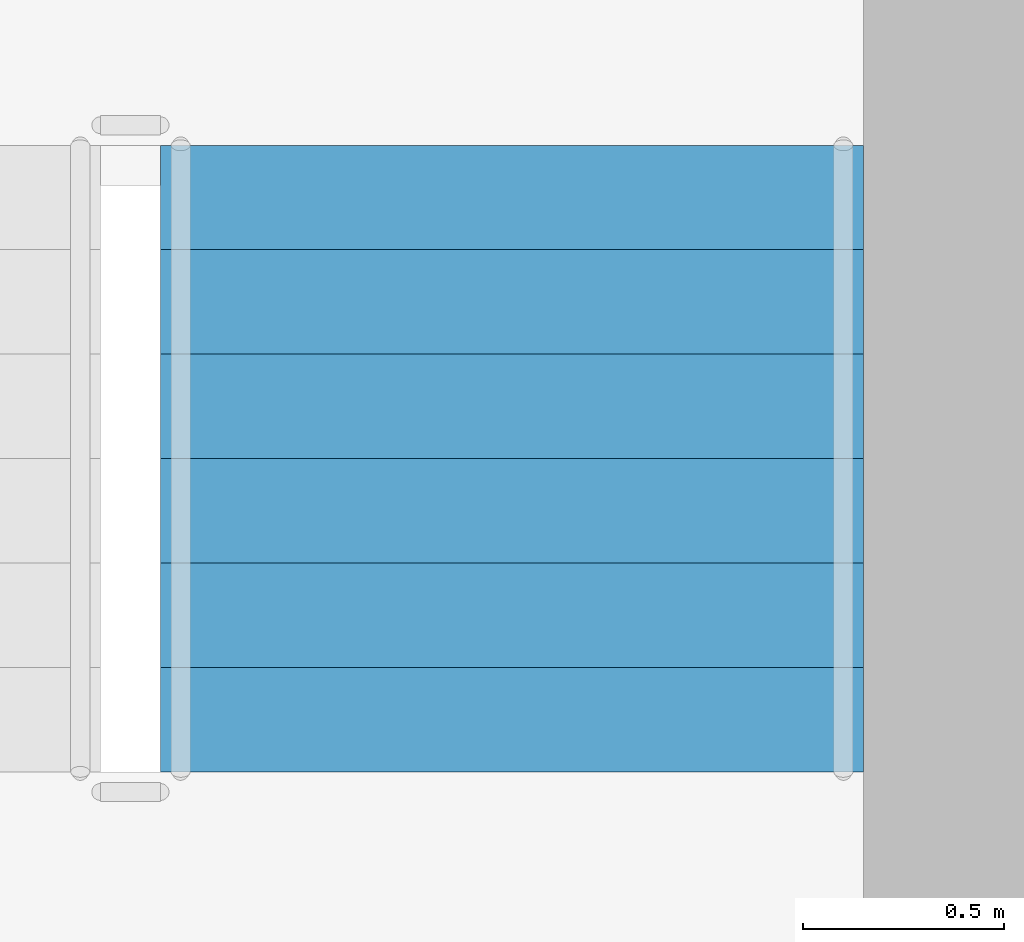
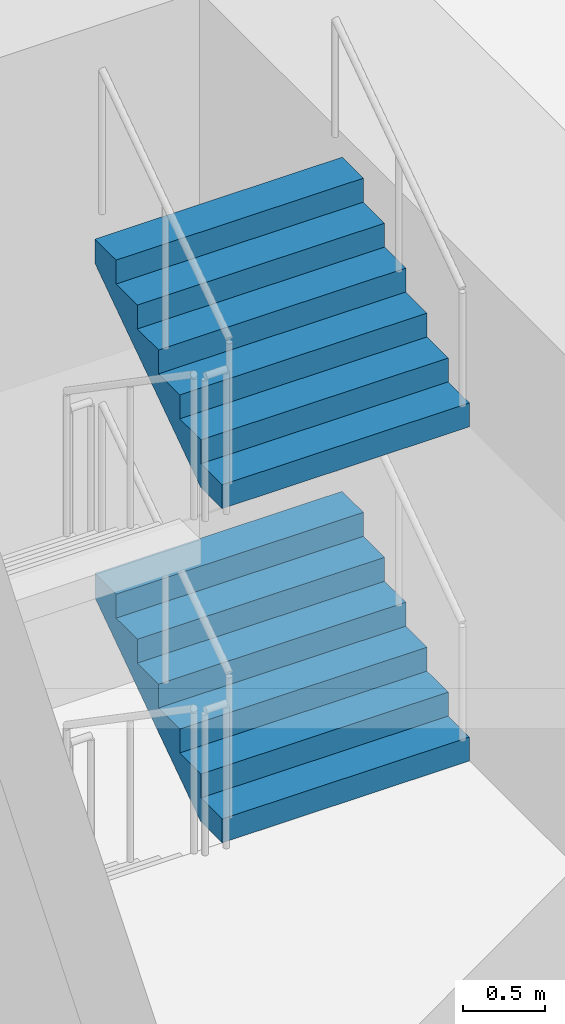
# One storey, part 37 of 59: 2 stair flights, 1 element without a shape of its own.
"""IFC4 building model written with IfcOpenShell, lengths in metres."""

from ifc_helpers import new_model, si_unit, direction, frame, origin, place, context, subcontext, project, spatial, faceted_brep, material, type_object, element, aggregate, save


model = new_model("IFC4")

# Units and contexts
model_context = context("Model", 3, precision=1e-05, world=origin(), true_north=direction((0.0, 1.0)))
body_context = subcontext(model_context, "Body", "Model", "MODEL_VIEW")
ifc_project = project(units=[si_unit("LENGTHUNIT", "METRE"), si_unit("AREAUNIT", "SQUARE_METRE"), si_unit("VOLUMEUNIT", "CUBIC_METRE"), si_unit("PLANEANGLEUNIT", "RADIAN"), si_unit("MASSUNIT", "GRAM", prefix="KILO")], contexts=[model_context])

# Site, building, storey
site_placement = place(None, origin())
site = spatial("IfcSite", under=ifc_project, at=site_placement, CompositionType="ELEMENT")
building_placement = place(site_placement, origin())
building = spatial("IfcBuilding", under=site, at=building_placement, Name="Ipe Terrace Towers", CompositionType="ELEMENT")
storey_placement = place(building_placement, frame((0.0, 0.0, 6.0)))
storey = spatial("IfcBuildingStorey", under=building, at=storey_placement, Name="L01", CompositionType="ELEMENT", Elevation=6.0)

# Stair, stair flights
ifc_material_1 = material(Name="Concrete C30/37", Category="concrete")
stair_type = type_object("IfcStairType", Name="Protected exit stair", PredefinedType="HALF_TURN_STAIR", material=ifc_material_1)
stair_placement = place(storey_placement, origin())
stair = element("IfcStair", 1, at=stair_placement, inside=storey, type_object=stair_type, Name="L01 Exit stair T2-C2", PredefinedType="HALF_TURN_STAIR")
ifc_material_2 = material(Name="Concrete C30/37", Category="concrete")
stair_flight_type = type_object("IfcStairFlightType", Name="Exit stair flight 1750", PredefinedType="STRAIGHT", material=ifc_material_2)
stair_flight_1_placement = place(storey_placement, frame((40.675048828125, -11.260009765625, 1.25), z_axis=(0.0, 0.0, 1.0), x_axis=(0.0, 1.0, 0.0)))
stair_flight_1 = element("IfcStairFlight", 2, at=stair_flight_1_placement, type_object=stair_flight_type, Name="T2-ST2 flight 2", NumberOfRisers=7, NumberOfTreads=6, PredefinedType="STRAIGHT", RiserHeight=0.178571429, TreadLength=0.26, context=body_context, shape_type="Brep", body=[
    faceted_brep([(0.264892578125, -0.875, 0.0), (1.56005859375, -0.875, 0.8896484375), (1.56005859375, -0.875, 1.071533203125), (1.300048828125, -0.875, 1.071533203125), (1.300048828125, -0.875, 0.892822265625), (1.0400390625, -0.875, 0.892822265625), (1.0400390625, -0.875, 0.71435546875), (0.780029296875, -0.875, 0.71435546875), (0.780029296875, -0.875, 0.53564453125), (0.52001953125, -0.875, 0.53564453125), (0.52001953125, -0.875, 0.357177734375), (0.260009765625, -0.875, 0.357177734375), (0.260009765625, -0.875, 0.178466796875), (0.0, -0.875, 0.178466796875), (0.0, -0.875, 0.0), (0.0, 0.875, 0.0), (0.0, 0.875, 0.178466796875), (0.260009765625, 0.875, 0.178466796875), (0.260009765625, 0.875, 0.357177734375), (0.52001953125, 0.875, 0.357177734375), (0.52001953125, 0.875, 0.53564453125), (0.780029296875, 0.875, 0.53564453125), (0.780029296875, 0.875, 0.71435546875), (1.0400390625, 0.875, 0.71435546875), (1.0400390625, 0.875, 0.892822265625), (1.300048828125, 0.875, 0.892822265625), (1.300048828125, 0.875, 1.071533203125), (1.56005859375, 0.875, 1.071533203125), (1.56005859375, 0.875, 0.8896484375), (0.264892578125, 0.875, 0.0), (0.0, -0.300048828125, 0.178466796875), (0.0, -0.1201171875, 0.178466796875), (0.0, -0.06005859375, 0.178466796875), (0.0, -0.030029296875, 0.178466796875), (0.0, -0.010009765625, 0.178466796875), (0.0, 0.0, 0.178466796875), (0.0, 0.010009765625, 0.178466796875), (0.0, 0.030029296875, 0.178466796875), (0.0, 0.06005859375, 0.178466796875), (0.0, 0.1201171875, 0.178466796875), (0.0, 0.300048828125, 0.178466796875), (0.0, 0.300048828125, 0.0), (0.0, 0.1201171875, 0.0), (0.0, 0.06005859375, 0.0), (0.0, 0.030029296875, 0.0), (0.0, 0.010009765625, 0.0), (0.0, 0.0, 0.0), (0.0, -0.010009765625, 0.0), (0.0, -0.030029296875, 0.0), (0.0, -0.06005859375, 0.0), (0.0, -0.1201171875, 0.0), (0.0, -0.300048828125, 0.0), (0.260009765625, -0.300048828125, 0.178466796875), (0.260009765625, -0.1201171875, 0.178466796875), (0.260009765625, -0.06005859375, 0.178466796875), (0.260009765625, -0.030029296875, 0.178466796875), (0.260009765625, -0.010009765625, 0.178466796875), (0.260009765625, 0.0, 0.178466796875), (0.260009765625, 0.010009765625, 0.178466796875), (0.260009765625, 0.030029296875, 0.178466796875), (0.260009765625, 0.06005859375, 0.178466796875), (0.260009765625, 0.1201171875, 0.178466796875), (0.260009765625, 0.300048828125, 0.178466796875), (0.260009765625, -0.300048828125, 0.357177734375), (0.260009765625, -0.1201171875, 0.357177734375), (0.260009765625, -0.06005859375, 0.357177734375), (0.260009765625, -0.030029296875, 0.357177734375), (0.260009765625, -0.010009765625, 0.357177734375), (0.260009765625, 0.0, 0.357177734375), (0.260009765625, 0.010009765625, 0.357177734375), (0.260009765625, 0.030029296875, 0.357177734375), (0.260009765625, 0.06005859375, 0.357177734375), (0.260009765625, 0.1201171875, 0.357177734375), (0.260009765625, 0.300048828125, 0.357177734375), (0.52001953125, -0.300048828125, 0.357177734375), (0.52001953125, -0.1201171875, 0.357177734375), (0.52001953125, -0.06005859375, 0.357177734375), (0.52001953125, -0.030029296875, 0.357177734375), (0.52001953125, -0.010009765625, 0.357177734375), (0.52001953125, 0.0, 0.357177734375), (0.52001953125, 0.010009765625, 0.357177734375), (0.52001953125, 0.030029296875, 0.357177734375), (0.52001953125, 0.06005859375, 0.357177734375), (0.52001953125, 0.1201171875, 0.357177734375), (0.52001953125, 0.300048828125, 0.357177734375), (0.52001953125, -0.300048828125, 0.53564453125), (0.52001953125, -0.1201171875, 0.53564453125), (0.52001953125, -0.06005859375, 0.53564453125), (0.52001953125, -0.030029296875, 0.53564453125), (0.52001953125, -0.010009765625, 0.53564453125), (0.52001953125, 0.0, 0.53564453125), (0.52001953125, 0.010009765625, 0.53564453125), (0.52001953125, 0.030029296875, 0.53564453125), (0.52001953125, 0.06005859375, 0.53564453125), (0.52001953125, 0.1201171875, 0.53564453125), (0.52001953125, 0.300048828125, 0.53564453125), (0.780029296875, -0.300048828125, 0.53564453125), (0.780029296875, -0.1201171875, 0.53564453125), (0.780029296875, -0.06005859375, 0.53564453125), (0.780029296875, -0.030029296875, 0.53564453125), (0.780029296875, -0.010009765625, 0.53564453125), (0.780029296875, 0.0, 0.53564453125), (0.780029296875, 0.010009765625, 0.53564453125), (0.780029296875, 0.030029296875, 0.53564453125), (0.780029296875, 0.06005859375, 0.53564453125), (0.780029296875, 0.1201171875, 0.53564453125), (0.780029296875, 0.300048828125, 0.53564453125), (0.780029296875, -0.300048828125, 0.71435546875), (0.780029296875, -0.1201171875, 0.71435546875), (0.780029296875, -0.06005859375, 0.71435546875), (0.780029296875, -0.030029296875, 0.71435546875), (0.780029296875, -0.010009765625, 0.71435546875), (0.780029296875, 0.0, 0.71435546875), (0.780029296875, 0.010009765625, 0.71435546875), (0.780029296875, 0.030029296875, 0.71435546875), (0.780029296875, 0.06005859375, 0.71435546875), (0.780029296875, 0.1201171875, 0.71435546875), (0.780029296875, 0.300048828125, 0.71435546875), (1.0400390625, -0.300048828125, 0.71435546875), (1.0400390625, -0.1201171875, 0.71435546875), (1.0400390625, -0.06005859375, 0.71435546875), (1.0400390625, -0.030029296875, 0.71435546875), (1.0400390625, -0.010009765625, 0.71435546875), (1.0400390625, 0.0, 0.71435546875), (1.0400390625, 0.010009765625, 0.71435546875), (1.0400390625, 0.030029296875, 0.71435546875), (1.0400390625, 0.06005859375, 0.71435546875), (1.0400390625, 0.1201171875, 0.71435546875), (1.0400390625, 0.300048828125, 0.71435546875), (1.0400390625, -0.300048828125, 0.892822265625), (1.0400390625, -0.1201171875, 0.892822265625), (1.0400390625, -0.06005859375, 0.892822265625), (1.0400390625, -0.030029296875, 0.892822265625), (1.0400390625, -0.010009765625, 0.892822265625), (1.0400390625, 0.0, 0.892822265625), (1.0400390625, 0.010009765625, 0.892822265625), (1.0400390625, 0.030029296875, 0.892822265625), (1.0400390625, 0.06005859375, 0.892822265625), (1.0400390625, 0.1201171875, 0.892822265625), (1.0400390625, 0.300048828125, 0.892822265625), (1.300048828125, -0.300048828125, 0.892822265625), (1.300048828125, -0.1201171875, 0.892822265625), (1.300048828125, -0.06005859375, 0.892822265625), (1.300048828125, -0.030029296875, 0.892822265625), (1.300048828125, -0.010009765625, 0.892822265625), (1.300048828125, 0.0, 0.892822265625), (1.300048828125, 0.010009765625, 0.892822265625), (1.300048828125, 0.030029296875, 0.892822265625), (1.300048828125, 0.06005859375, 0.892822265625), (1.300048828125, 0.1201171875, 0.892822265625), (1.300048828125, 0.300048828125, 0.892822265625), (1.300048828125, -0.300048828125, 1.071533203125), (1.300048828125, -0.1201171875, 1.071533203125), (1.300048828125, -0.06005859375, 1.071533203125), (1.300048828125, -0.030029296875, 1.071533203125), (1.300048828125, -0.010009765625, 1.071533203125), (1.300048828125, 0.0, 1.071533203125), (1.300048828125, 0.010009765625, 1.071533203125), (1.300048828125, 0.030029296875, 1.071533203125), (1.300048828125, 0.06005859375, 1.071533203125), (1.300048828125, 0.1201171875, 1.071533203125), (1.300048828125, 0.300048828125, 1.071533203125), (1.56005859375, -0.300048828125, 1.071533203125), (1.56005859375, -0.1201171875, 1.071533203125), (1.56005859375, -0.06005859375, 1.071533203125), (1.56005859375, -0.030029296875, 1.071533203125), (1.56005859375, -0.010009765625, 1.071533203125), (1.56005859375, 0.0, 1.071533203125), (1.56005859375, 0.010009765625, 1.071533203125), (1.56005859375, 0.030029296875, 1.071533203125), (1.56005859375, 0.06005859375, 1.071533203125), (1.56005859375, 0.1201171875, 1.071533203125), (1.56005859375, 0.300048828125, 1.071533203125), (1.56005859375, -0.300048828125, 0.8896484375), (1.56005859375, -0.1201171875, 0.8896484375), (1.56005859375, -0.06005859375, 0.8896484375), (1.56005859375, -0.030029296875, 0.8896484375), (1.56005859375, -0.010009765625, 0.8896484375), (1.56005859375, 0.0, 0.8896484375), (1.56005859375, 0.010009765625, 0.8896484375), (1.56005859375, 0.030029296875, 0.8896484375), (1.56005859375, 0.06005859375, 0.8896484375), (1.56005859375, 0.1201171875, 0.8896484375), (1.56005859375, 0.300048828125, 0.8896484375), (0.264892578125, -0.300048828125, 0.0), (0.264892578125, -0.1201171875, 0.0), (0.264892578125, -0.06005859375, 0.0), (0.264892578125, -0.030029296875, 0.0), (0.264892578125, -0.010009765625, 0.0), (0.264892578125, 0.0, 0.0), (0.264892578125, 0.010009765625, 0.0), (0.264892578125, 0.030029296875, 0.0), (0.264892578125, 0.06005859375, 0.0), (0.264892578125, 0.1201171875, 0.0), (0.264892578125, 0.300048828125, 0.0)], [[[0, 1, 2, 3, 4, 5, 6, 7, 8, 9, 10, 11, 12, 13, 14]], [[15, 16, 17, 18, 19, 20, 21, 22, 23, 24, 25, 26, 27, 28, 29]], [[13, 30, 31, 32, 33, 34, 35, 36, 37, 38, 39, 40, 16, 15, 41, 42, 43, 44, 45, 46, 47, 48, 49, 50, 51, 14]], [[12, 52, 53, 54, 55, 56, 57, 58, 59, 60, 61, 62, 17, 16, 40, 39, 38, 37, 36, 35, 34, 33, 32, 31, 30, 13]], [[11, 63, 64, 65, 66, 67, 68, 69, 70, 71, 72, 73, 18, 17, 62, 61, 60, 59, 58, 57, 56, 55, 54, 53, 52, 12]], [[10, 74, 75, 76, 77, 78, 79, 80, 81, 82, 83, 84, 19, 18, 73, 72, 71, 70, 69, 68, 67, 66, 65, 64, 63, 11]], [[9, 85, 86, 87, 88, 89, 90, 91, 92, 93, 94, 95, 20, 19, 84, 83, 82, 81, 80, 79, 78, 77, 76, 75, 74, 10]], [[8, 96, 97, 98, 99, 100, 101, 102, 103, 104, 105, 106, 21, 20, 95, 94, 93, 92, 91, 90, 89, 88, 87, 86, 85, 9]], [[7, 107, 108, 109, 110, 111, 112, 113, 114, 115, 116, 117, 22, 21, 106, 105, 104, 103, 102, 101, 100, 99, 98, 97, 96, 8]], [[6, 118, 119, 120, 121, 122, 123, 124, 125, 126, 127, 128, 23, 22, 117, 116, 115, 114, 113, 112, 111, 110, 109, 108, 107, 7]], [[5, 129, 130, 131, 132, 133, 134, 135, 136, 137, 138, 139, 24, 23, 128, 127, 126, 125, 124, 123, 122, 121, 120, 119, 118, 6]], [[4, 140, 141, 142, 143, 144, 145, 146, 147, 148, 149, 150, 25, 24, 139, 138, 137, 136, 135, 134, 133, 132, 131, 130, 129, 5]], [[3, 151, 152, 153, 154, 155, 156, 157, 158, 159, 160, 161, 26, 25, 150, 149, 148, 147, 146, 145, 144, 143, 142, 141, 140, 4]], [[2, 162, 163, 164, 165, 166, 167, 168, 169, 170, 171, 172, 27, 26, 161, 160, 159, 158, 157, 156, 155, 154, 153, 152, 151, 3]], [[1, 173, 174, 175, 176, 177, 178, 179, 180, 181, 182, 183, 28, 27, 172, 171, 170, 169, 168, 167, 166, 165, 164, 163, 162, 2]], [[0, 184, 185, 186, 187, 188, 189, 190, 191, 192, 193, 194, 29, 28, 183, 182, 181, 180, 179, 178, 177, 176, 175, 174, 173, 1]], [[14, 51, 50, 49, 48, 47, 46, 45, 44, 43, 42, 41, 15, 29, 194, 193, 192, 191, 190, 189, 188, 187, 186, 185, 184, 0]]]),
])
stair_flight_2_placement = place(storey_placement, frame((40.675048828125, -11.260009765625, 3.75), z_axis=(0.0, 0.0, 1.0), x_axis=(0.0, 1.0, 0.0)))
stair_flight_2 = element("IfcStairFlight", 3, at=stair_flight_2_placement, type_object=stair_flight_type, Name="T2-ST2 flight 4", NumberOfRisers=7, NumberOfTreads=6, PredefinedType="STRAIGHT", RiserHeight=0.178571429, TreadLength=0.26, context=body_context, shape_type="Brep", body=[
    faceted_brep([(0.264892578125, -0.875, 0.0), (1.56005859375, -0.875, 0.8896484375), (1.56005859375, -0.875, 1.071533203125), (1.300048828125, -0.875, 1.071533203125), (1.300048828125, -0.875, 0.892822265625), (1.0400390625, -0.875, 0.892822265625), (1.0400390625, -0.875, 0.71435546875), (0.780029296875, -0.875, 0.71435546875), (0.780029296875, -0.875, 0.53564453125), (0.52001953125, -0.875, 0.53564453125), (0.52001953125, -0.875, 0.357177734375), (0.260009765625, -0.875, 0.357177734375), (0.260009765625, -0.875, 0.178466796875), (0.0, -0.875, 0.178466796875), (0.0, -0.875, 0.0), (0.0, 0.875, 0.0), (0.0, 0.875, 0.178466796875), (0.260009765625, 0.875, 0.178466796875), (0.260009765625, 0.875, 0.357177734375), (0.52001953125, 0.875, 0.357177734375), (0.52001953125, 0.875, 0.53564453125), (0.780029296875, 0.875, 0.53564453125), (0.780029296875, 0.875, 0.71435546875), (1.0400390625, 0.875, 0.71435546875), (1.0400390625, 0.875, 0.892822265625), (1.300048828125, 0.875, 0.892822265625), (1.300048828125, 0.875, 1.071533203125), (1.56005859375, 0.875, 1.071533203125), (1.56005859375, 0.875, 0.8896484375), (0.264892578125, 0.875, 0.0), (0.0, -0.300048828125, 0.178466796875), (0.0, -0.1201171875, 0.178466796875), (0.0, -0.06005859375, 0.178466796875), (0.0, -0.030029296875, 0.178466796875), (0.0, -0.010009765625, 0.178466796875), (0.0, 0.0, 0.178466796875), (0.0, 0.010009765625, 0.178466796875), (0.0, 0.030029296875, 0.178466796875), (0.0, 0.06005859375, 0.178466796875), (0.0, 0.1201171875, 0.178466796875), (0.0, 0.300048828125, 0.178466796875), (0.0, 0.300048828125, 0.0), (0.0, 0.1201171875, 0.0), (0.0, 0.06005859375, 0.0), (0.0, 0.030029296875, 0.0), (0.0, 0.010009765625, 0.0), (0.0, 0.0, 0.0), (0.0, -0.010009765625, 0.0), (0.0, -0.030029296875, 0.0), (0.0, -0.06005859375, 0.0), (0.0, -0.1201171875, 0.0), (0.0, -0.300048828125, 0.0), (0.260009765625, -0.300048828125, 0.178466796875), (0.260009765625, -0.1201171875, 0.178466796875), (0.260009765625, -0.06005859375, 0.178466796875), (0.260009765625, -0.030029296875, 0.178466796875), (0.260009765625, -0.010009765625, 0.178466796875), (0.260009765625, 0.0, 0.178466796875), (0.260009765625, 0.010009765625, 0.178466796875), (0.260009765625, 0.030029296875, 0.178466796875), (0.260009765625, 0.06005859375, 0.178466796875), (0.260009765625, 0.1201171875, 0.178466796875), (0.260009765625, 0.300048828125, 0.178466796875), (0.260009765625, -0.300048828125, 0.357177734375), (0.260009765625, -0.1201171875, 0.357177734375), (0.260009765625, -0.06005859375, 0.357177734375), (0.260009765625, -0.030029296875, 0.357177734375), (0.260009765625, -0.010009765625, 0.357177734375), (0.260009765625, 0.0, 0.357177734375), (0.260009765625, 0.010009765625, 0.357177734375), (0.260009765625, 0.030029296875, 0.357177734375), (0.260009765625, 0.06005859375, 0.357177734375), (0.260009765625, 0.1201171875, 0.357177734375), (0.260009765625, 0.300048828125, 0.357177734375), (0.52001953125, -0.300048828125, 0.357177734375), (0.52001953125, -0.1201171875, 0.357177734375), (0.52001953125, -0.06005859375, 0.357177734375), (0.52001953125, -0.030029296875, 0.357177734375), (0.52001953125, -0.010009765625, 0.357177734375), (0.52001953125, 0.0, 0.357177734375), (0.52001953125, 0.010009765625, 0.357177734375), (0.52001953125, 0.030029296875, 0.357177734375), (0.52001953125, 0.06005859375, 0.357177734375), (0.52001953125, 0.1201171875, 0.357177734375), (0.52001953125, 0.300048828125, 0.357177734375), (0.52001953125, -0.300048828125, 0.53564453125), (0.52001953125, -0.1201171875, 0.53564453125), (0.52001953125, -0.06005859375, 0.53564453125), (0.52001953125, -0.030029296875, 0.53564453125), (0.52001953125, -0.010009765625, 0.53564453125), (0.52001953125, 0.0, 0.53564453125), (0.52001953125, 0.010009765625, 0.53564453125), (0.52001953125, 0.030029296875, 0.53564453125), (0.52001953125, 0.06005859375, 0.53564453125), (0.52001953125, 0.1201171875, 0.53564453125), (0.52001953125, 0.300048828125, 0.53564453125), (0.780029296875, -0.300048828125, 0.53564453125), (0.780029296875, -0.1201171875, 0.53564453125), (0.780029296875, -0.06005859375, 0.53564453125), (0.780029296875, -0.030029296875, 0.53564453125), (0.780029296875, -0.010009765625, 0.53564453125), (0.780029296875, 0.0, 0.53564453125), (0.780029296875, 0.010009765625, 0.53564453125), (0.780029296875, 0.030029296875, 0.53564453125), (0.780029296875, 0.06005859375, 0.53564453125), (0.780029296875, 0.1201171875, 0.53564453125), (0.780029296875, 0.300048828125, 0.53564453125), (0.780029296875, -0.300048828125, 0.71435546875), (0.780029296875, -0.1201171875, 0.71435546875), (0.780029296875, -0.06005859375, 0.71435546875), (0.780029296875, -0.030029296875, 0.71435546875), (0.780029296875, -0.010009765625, 0.71435546875), (0.780029296875, 0.0, 0.71435546875), (0.780029296875, 0.010009765625, 0.71435546875), (0.780029296875, 0.030029296875, 0.71435546875), (0.780029296875, 0.06005859375, 0.71435546875), (0.780029296875, 0.1201171875, 0.71435546875), (0.780029296875, 0.300048828125, 0.71435546875), (1.0400390625, -0.300048828125, 0.71435546875), (1.0400390625, -0.1201171875, 0.71435546875), (1.0400390625, -0.06005859375, 0.71435546875), (1.0400390625, -0.030029296875, 0.71435546875), (1.0400390625, -0.010009765625, 0.71435546875), (1.0400390625, 0.0, 0.71435546875), (1.0400390625, 0.010009765625, 0.71435546875), (1.0400390625, 0.030029296875, 0.71435546875), (1.0400390625, 0.06005859375, 0.71435546875), (1.0400390625, 0.1201171875, 0.71435546875), (1.0400390625, 0.300048828125, 0.71435546875), (1.0400390625, -0.300048828125, 0.892822265625), (1.0400390625, -0.1201171875, 0.892822265625), (1.0400390625, -0.06005859375, 0.892822265625), (1.0400390625, -0.030029296875, 0.892822265625), (1.0400390625, -0.010009765625, 0.892822265625), (1.0400390625, 0.0, 0.892822265625), (1.0400390625, 0.010009765625, 0.892822265625), (1.0400390625, 0.030029296875, 0.892822265625), (1.0400390625, 0.06005859375, 0.892822265625), (1.0400390625, 0.1201171875, 0.892822265625), (1.0400390625, 0.300048828125, 0.892822265625), (1.300048828125, -0.300048828125, 0.892822265625), (1.300048828125, -0.1201171875, 0.892822265625), (1.300048828125, -0.06005859375, 0.892822265625), (1.300048828125, -0.030029296875, 0.892822265625), (1.300048828125, -0.010009765625, 0.892822265625), (1.300048828125, 0.0, 0.892822265625), (1.300048828125, 0.010009765625, 0.892822265625), (1.300048828125, 0.030029296875, 0.892822265625), (1.300048828125, 0.06005859375, 0.892822265625), (1.300048828125, 0.1201171875, 0.892822265625), (1.300048828125, 0.300048828125, 0.892822265625), (1.300048828125, -0.300048828125, 1.071533203125), (1.300048828125, -0.1201171875, 1.071533203125), (1.300048828125, -0.06005859375, 1.071533203125), (1.300048828125, -0.030029296875, 1.071533203125), (1.300048828125, -0.010009765625, 1.071533203125), (1.300048828125, 0.0, 1.071533203125), (1.300048828125, 0.010009765625, 1.071533203125), (1.300048828125, 0.030029296875, 1.071533203125), (1.300048828125, 0.06005859375, 1.071533203125), (1.300048828125, 0.1201171875, 1.071533203125), (1.300048828125, 0.300048828125, 1.071533203125), (1.56005859375, -0.300048828125, 1.071533203125), (1.56005859375, -0.1201171875, 1.071533203125), (1.56005859375, -0.06005859375, 1.071533203125), (1.56005859375, -0.030029296875, 1.071533203125), (1.56005859375, -0.010009765625, 1.071533203125), (1.56005859375, 0.0, 1.071533203125), (1.56005859375, 0.010009765625, 1.071533203125), (1.56005859375, 0.030029296875, 1.071533203125), (1.56005859375, 0.06005859375, 1.071533203125), (1.56005859375, 0.1201171875, 1.071533203125), (1.56005859375, 0.300048828125, 1.071533203125), (1.56005859375, -0.300048828125, 0.8896484375), (1.56005859375, -0.1201171875, 0.8896484375), (1.56005859375, -0.06005859375, 0.8896484375), (1.56005859375, -0.030029296875, 0.8896484375), (1.56005859375, -0.010009765625, 0.8896484375), (1.56005859375, 0.0, 0.8896484375), (1.56005859375, 0.010009765625, 0.8896484375), (1.56005859375, 0.030029296875, 0.8896484375), (1.56005859375, 0.06005859375, 0.8896484375), (1.56005859375, 0.1201171875, 0.8896484375), (1.56005859375, 0.300048828125, 0.8896484375), (0.264892578125, -0.300048828125, 0.0), (0.264892578125, -0.1201171875, 0.0), (0.264892578125, -0.06005859375, 0.0), (0.264892578125, -0.030029296875, 0.0), (0.264892578125, -0.010009765625, 0.0), (0.264892578125, 0.0, 0.0), (0.264892578125, 0.010009765625, 0.0), (0.264892578125, 0.030029296875, 0.0), (0.264892578125, 0.06005859375, 0.0), (0.264892578125, 0.1201171875, 0.0), (0.264892578125, 0.300048828125, 0.0)], [[[0, 1, 2, 3, 4, 5, 6, 7, 8, 9, 10, 11, 12, 13, 14]], [[15, 16, 17, 18, 19, 20, 21, 22, 23, 24, 25, 26, 27, 28, 29]], [[13, 30, 31, 32, 33, 34, 35, 36, 37, 38, 39, 40, 16, 15, 41, 42, 43, 44, 45, 46, 47, 48, 49, 50, 51, 14]], [[12, 52, 53, 54, 55, 56, 57, 58, 59, 60, 61, 62, 17, 16, 40, 39, 38, 37, 36, 35, 34, 33, 32, 31, 30, 13]], [[11, 63, 64, 65, 66, 67, 68, 69, 70, 71, 72, 73, 18, 17, 62, 61, 60, 59, 58, 57, 56, 55, 54, 53, 52, 12]], [[10, 74, 75, 76, 77, 78, 79, 80, 81, 82, 83, 84, 19, 18, 73, 72, 71, 70, 69, 68, 67, 66, 65, 64, 63, 11]], [[9, 85, 86, 87, 88, 89, 90, 91, 92, 93, 94, 95, 20, 19, 84, 83, 82, 81, 80, 79, 78, 77, 76, 75, 74, 10]], [[8, 96, 97, 98, 99, 100, 101, 102, 103, 104, 105, 106, 21, 20, 95, 94, 93, 92, 91, 90, 89, 88, 87, 86, 85, 9]], [[7, 107, 108, 109, 110, 111, 112, 113, 114, 115, 116, 117, 22, 21, 106, 105, 104, 103, 102, 101, 100, 99, 98, 97, 96, 8]], [[6, 118, 119, 120, 121, 122, 123, 124, 125, 126, 127, 128, 23, 22, 117, 116, 115, 114, 113, 112, 111, 110, 109, 108, 107, 7]], [[5, 129, 130, 131, 132, 133, 134, 135, 136, 137, 138, 139, 24, 23, 128, 127, 126, 125, 124, 123, 122, 121, 120, 119, 118, 6]], [[4, 140, 141, 142, 143, 144, 145, 146, 147, 148, 149, 150, 25, 24, 139, 138, 137, 136, 135, 134, 133, 132, 131, 130, 129, 5]], [[3, 151, 152, 153, 154, 155, 156, 157, 158, 159, 160, 161, 26, 25, 150, 149, 148, 147, 146, 145, 144, 143, 142, 141, 140, 4]], [[2, 162, 163, 164, 165, 166, 167, 168, 169, 170, 171, 172, 27, 26, 161, 160, 159, 158, 157, 156, 155, 154, 153, 152, 151, 3]], [[1, 173, 174, 175, 176, 177, 178, 179, 180, 181, 182, 183, 28, 27, 172, 171, 170, 169, 168, 167, 166, 165, 164, 163, 162, 2]], [[0, 184, 185, 186, 187, 188, 189, 190, 191, 192, 193, 194, 29, 28, 183, 182, 181, 180, 179, 178, 177, 176, 175, 174, 173, 1]], [[14, 51, 50, 49, 48, 47, 46, 45, 44, 43, 42, 41, 15, 29, 194, 193, 192, 191, 190, 189, 188, 187, 186, 185, 184, 0]]]),
])
aggregate(stair, [stair_flight_1, stair_flight_2])

save(model, "model.ifc")
